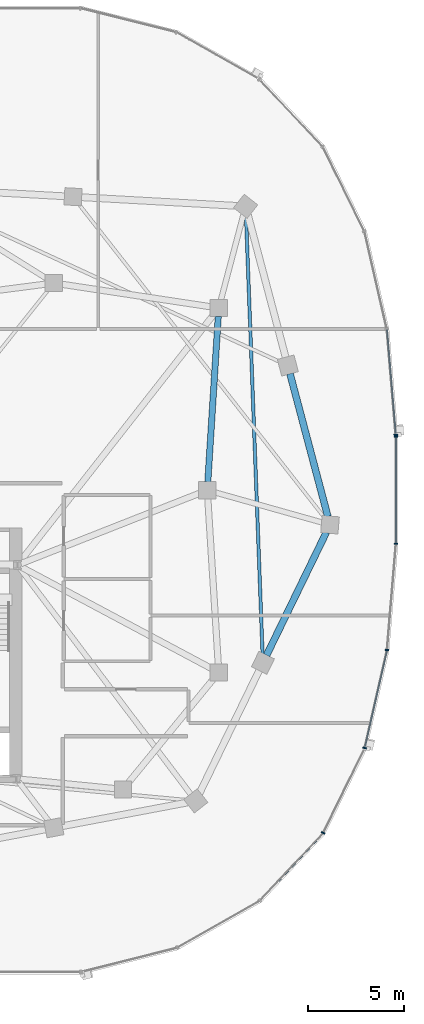
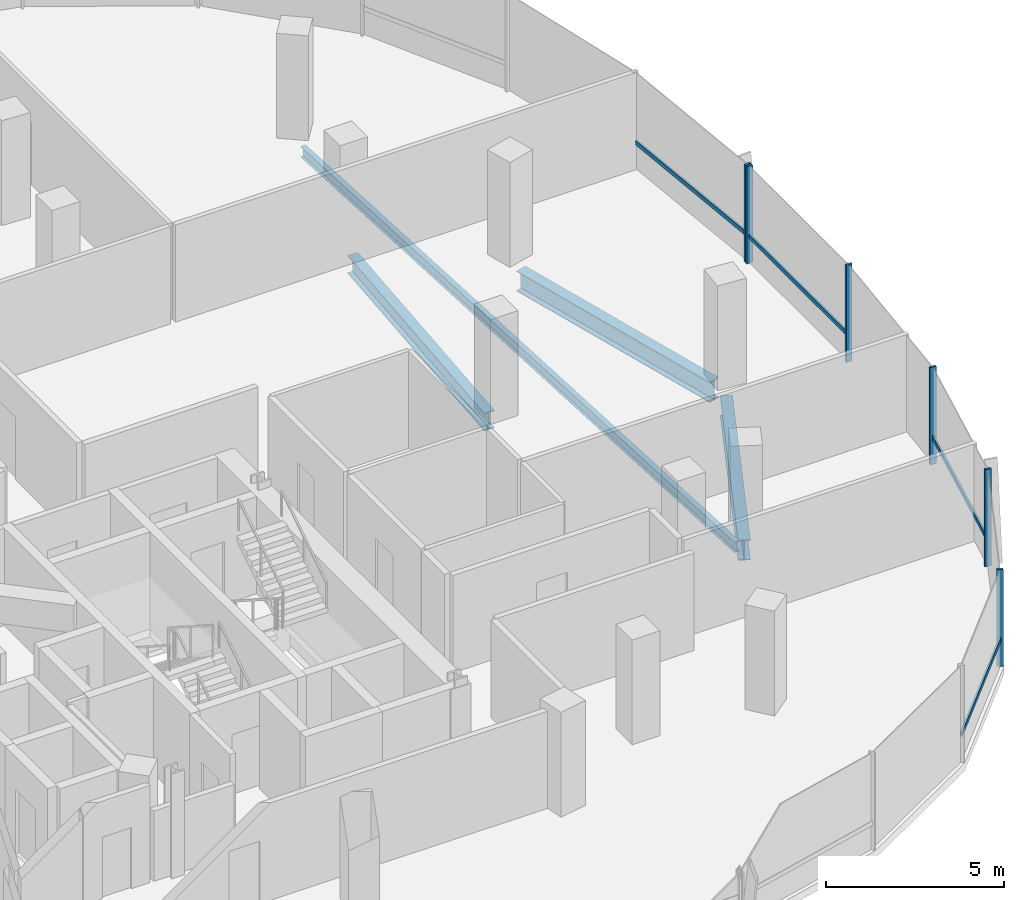
# One storey, part 10 of 25: 10 members, 4 beams, 2 elements without a shape of their own.
"""IFC4 building model written with IfcOpenShell, lengths in metres."""

from ifc_helpers import new_model, si_unit, direction, frame, origin, origin_2d, place, context, subcontext, project, spatial, rectangle, i_section, extrude, material, material_profile, profile_set, type_object, element, aggregate, save


model = new_model("IFC4")

# Units and contexts
model_context = context("Model", 3, precision=1e-05, world=origin(), true_north=direction((0.0, 1.0)))
body_context = subcontext(model_context, "Body", "Model", "MODEL_VIEW")
ifc_project = project(units=[si_unit("LENGTHUNIT", "METRE"), si_unit("AREAUNIT", "SQUARE_METRE"), si_unit("VOLUMEUNIT", "CUBIC_METRE"), si_unit("PLANEANGLEUNIT", "RADIAN"), si_unit("MASSUNIT", "GRAM", prefix="KILO"), si_unit("THERMODYNAMICTEMPERATUREUNIT", "KELVIN"), si_unit("POWERUNIT", "WATT")], contexts=[model_context])

# Site, building, storey
site_placement = place(None, origin())
site = spatial("IfcSite", under=ifc_project, at=site_placement, CompositionType="ELEMENT")
building_placement = place(site_placement, origin())
building = spatial("IfcBuilding", under=site, at=building_placement, Name="Cundina Bronze Exchange", CompositionType="ELEMENT")
storey_placement = place(building_placement, frame((0.0, 0.0, 206.199951171875)))
storey = spatial("IfcBuildingStorey", under=building, at=storey_placement, Name="L54", CompositionType="ELEMENT", Elevation=206.199951171875)

# Beams
ifc_material_1 = material(Name="Steel ASTM A992 Grade 50", Category="steel")
ifc_material_profile_1 = material_profile(ifc_material_1, i_section(OverallWidth=0.172119140625, OverallDepth=0.35791015625, WebThickness=0.0078125, FlangeThickness=0.01318359375, FilletRadius=0.010009765625, at=origin_2d()), Name="W14X38", Category="steel")
ifc_profile_set_1 = profile_set([ifc_material_profile_1], Name="Steel ASTM A992 Grade 50")
beam_type_1 = type_object("IfcBeamType", Name="BM-JST-W14", PredefinedType="JOIST", material=ifc_profile_set_1)
beam_1_placement = place(storey_placement, frame((44.08349609375, -8.562255859375, -0.43896484375), z_axis=(-0.037790216102, 0.999285694667, 0.0), x_axis=(-0.999285694667, -0.037790216102, 0.0)))
element("IfcBeam", 1, at=beam_1_placement, inside=storey, type_object=beam_type_1, Name="L54 Leg E Lobe Floor Joist 07-10", PredefinedType="JOIST", context=body_context, shape_type="SweptSolid", body=[
    extrude(i_section(OverallWidth=0.172119140625, OverallDepth=0.35791015625, WebThickness=0.0078125, FlangeThickness=0.01318359375, FilletRadius=0.010009765625, at=origin_2d()), origin(), (0.0, 0.0, 1.0), 22.94091796875),
])
ifc_material_profile_2 = material_profile(ifc_material_1, i_section(OverallWidth=0.324951171875, OverallDepth=0.615966796875, WebThickness=0.013916015625, FlangeThickness=0.021484375, FilletRadius=0.01611328125, at=origin_2d()), Name="W24X117", Category="steel")
ifc_profile_set_2 = profile_set([ifc_material_profile_2], Name="Steel ASTM A992 Grade 50")
beam_type_2 = type_object("IfcBeamType", Name="BM-RING-W24", PredefinedType="USERDEFINED", material=ifc_profile_set_2)
beam_2_placement = place(storey_placement, frame((41.2275390625, 0.43701171875, -0.56787109375), z_axis=(0.063046519736, 0.998010589297, 0.0), x_axis=(-0.998010589297, 0.063046519736, 0.0)))
element("IfcBeam", 2, at=beam_2_placement, inside=storey, type_object=beam_type_2, Name="L54 E Inner Structural Ring Girder 04", ObjectType="GIRDER", PredefinedType="USERDEFINED", context=body_context, shape_type="SweptSolid", body=[
    extrude(i_section(OverallWidth=0.324951171875, OverallDepth=0.615966796875, WebThickness=0.013916015625, FlangeThickness=0.021484375, FilletRadius=0.01611328125, at=origin_2d()), origin(), (0.0, 0.0, 1.0), 8.64306640625),
])
ifc_material_profile_3 = material_profile(ifc_material_1, i_section(OverallWidth=0.35498046875, OverallDepth=0.695068359375, WebThickness=0.015380859375, FlangeThickness=0.02490234375, FilletRadius=0.01806640625, at=origin_2d()), Name="W27X146", Category="steel")
ifc_profile_set_3 = profile_set([ifc_material_profile_3], Name="Steel ASTM A992 Grade 50")
beam_type_3 = type_object("IfcBeamType", Name="BM-RING-W27", PredefinedType="USERDEFINED", material=ifc_profile_set_3)
beam_3_placement = place(storey_placement, frame((44.29150390625, -8.606201171875, -0.607421875), z_axis=(0.437173087764, 0.89937739094, 0.0), x_axis=(-0.89937739094, 0.437173087764, 0.0)))
element("IfcBeam", 3, at=beam_3_placement, inside=storey, type_object=beam_type_3, Name="L54 E Perimeter Ring Girder 07", ObjectType="GIRDER", PredefinedType="USERDEFINED", context=body_context, shape_type="SweptSolid", body=[
    extrude(i_section(OverallWidth=0.35498046875, OverallDepth=0.695068359375, WebThickness=0.015380859375, FlangeThickness=0.02490234375, FilletRadius=0.01806640625, at=origin_2d()), origin(), (0.0, 0.0, 1.0), 7.1298828125),
])
beam_4_placement = place(storey_placement, frame((47.48779296875, -1.376708984375, -0.607421875), z_axis=(-0.256211934474, 0.966620631185, 0.0), x_axis=(-0.966620631185, -0.256211934474, 0.0)))
element("IfcBeam", 4, at=beam_4_placement, inside=storey, type_object=beam_type_3, Name="L54 E Perimeter Ring Girder 08", ObjectType="GIRDER", PredefinedType="USERDEFINED", context=body_context, shape_type="SweptSolid", body=[
    extrude(i_section(OverallWidth=0.35498046875, OverallDepth=0.695068359375, WebThickness=0.015380859375, FlangeThickness=0.02490234375, FilletRadius=0.01806640625, at=origin_2d()), origin(), (0.0, 0.0, 1.0), 7.710693359375),
])

# Curtain wall, member
ifc_material_2 = material(Name="Anodised Bronze Aluminium 6063-T6", Category="aluminium")
curtain_wall_type = type_object("IfcCurtainWallType", Name="CWS-UPP-OFF", PredefinedType="NOTDEFINED", material=ifc_material_2)
curtain_wall_1_placement = place(storey_placement, origin())
curtain_wall_1 = element("IfcCurtainWall", 5, at=curtain_wall_1_placement, inside=storey, type_object=curtain_wall_type, Name="L54 CW-05 Curtain Wall Run CWR-L54-E1", PredefinedType="NOTDEFINED")
ifc_material_profile_4 = material_profile(ifc_material_2, rectangle(XDim=0.070068359375, YDim=0.18994140625, at=origin_2d()), Name="AL70X190", Category="aluminium")
ifc_profile_set_4 = profile_set([ifc_material_profile_4], Name="Anodised Bronze Aluminium 6063-T6")
member_type_1 = type_object("IfcMemberType", Name="CWM-MUL-190", PredefinedType="MULLION", material=ifc_profile_set_4)
member_1_placement = place(storey_placement, frame((51.0302734375, 2.88330078125, 0.0), z_axis=(0.0, 0.0, 1.0), x_axis=(-0.083677843332, 0.99649285925, 0.0)))
member_1 = element("IfcMember", 6, at=member_1_placement, type_object=member_type_1, Name="CW-05 Mullion 1", PredefinedType="MULLION", context=body_context, shape_type="SweptSolid", body=[
    extrude(rectangle(XDim=0.070068359375, YDim=0.18994140625, at=origin_2d()), origin(), (0.0, 0.0, 1.0), 3.340087890625),
])

# Curtain wall, members
curtain_wall_2_placement = place(storey_placement, origin())
curtain_wall_2 = element("IfcCurtainWall", 7, at=curtain_wall_2_placement, inside=storey, type_object=curtain_wall_type, Name="L54 CW-05 Curtain Wall Run CWR-L54-E4", PredefinedType="NOTDEFINED")
member_2_placement = place(storey_placement, frame((47.245361328125, -17.866455078125, 0.0), z_axis=(0.0, 0.0, 1.0), x_axis=(0.440566004113, 0.897720221461, 0.0)))
member_2 = element("IfcMember", 8, at=member_2_placement, type_object=member_type_1, Name="CW-05 Mullion 4", PredefinedType="MULLION", context=body_context, shape_type="SweptSolid", body=[
    extrude(rectangle(XDim=0.070068359375, YDim=0.18994140625, at=origin_2d()), origin(), (0.0, 0.0, 1.0), 3.340087890625),
])
member_3_placement = place(storey_placement, frame((49.40771484375, -13.440673828125, 0.0), z_axis=(0.0, 0.0, 1.0), x_axis=(0.223250116011, 0.974761194191, 0.0)))
member_3 = element("IfcMember", 9, at=member_3_placement, type_object=member_type_1, Name="CW-05 Mullion 5", PredefinedType="MULLION", context=body_context, shape_type="SweptSolid", body=[
    extrude(rectangle(XDim=0.070068359375, YDim=0.18994140625, at=origin_2d()), origin(), (0.0, 0.0, 1.0), 3.340087890625),
])
member_4_placement = place(storey_placement, frame((50.572509765625, -8.33056640625, 0.0), z_axis=(0.0, 0.0, 1.0), x_axis=(0.083677843332, 0.99649285925, 0.0)))
member_4 = element("IfcMember", 10, at=member_4_placement, type_object=member_type_1, Name="CW-05 Mullion 6", PredefinedType="MULLION", context=body_context, shape_type="SweptSolid", body=[
    extrude(rectangle(XDim=0.070068359375, YDim=0.18994140625, at=origin_2d()), origin(), (0.0, 0.0, 1.0), 3.340087890625),
])
member_5_placement = place(storey_placement, frame((51.033935546875, -2.794921875, 0.0), z_axis=(0.0, 0.0, 1.0), x_axis=(0.0, 1.0, 0.0)))
member_5 = element("IfcMember", 11, at=member_5_placement, type_object=member_type_1, Name="CW-05 Mullion 7", PredefinedType="MULLION", context=body_context, shape_type="SweptSolid", body=[
    extrude(rectangle(XDim=0.070068359375, YDim=0.18994140625, at=origin_2d()), origin(), (0.0, 0.0, 1.0), 3.340087890625),
])
member_6_placement = place(storey_placement, frame((51.033935546875, 2.794921875, 0.0), z_axis=(0.0, 0.0, 1.0), x_axis=(0.0, 1.0, 0.0)))
member_6 = element("IfcMember", 12, at=member_6_placement, type_object=member_type_1, Name="CW-05 End Mullion", PredefinedType="MULLION", context=body_context, shape_type="SweptSolid", body=[
    extrude(rectangle(XDim=0.070068359375, YDim=0.18994140625, at=origin_2d()), origin(), (0.0, 0.0, 1.0), 3.340087890625),
])

# Member
ifc_material_profile_5 = material_profile(ifc_material_2, rectangle(XDim=0.06494140625, YDim=0.14990234375, at=origin_2d()), Name="AL65X150", Category="aluminium")
ifc_profile_set_5 = profile_set([ifc_material_profile_5], Name="Anodised Bronze Aluminium 6063-T6")
member_type_2 = type_object("IfcMemberType", Name="CWM-TRN-150", PredefinedType="USERDEFINED", material=ifc_profile_set_5)
member_7_placement = place(storey_placement, frame((51.027099609375, 2.921630859375, 0.920166015625), z_axis=(-0.083740331158, 0.996487610027, 0.0), x_axis=(-0.996487610027, -0.083740331158, 0.0)))
member_7 = element("IfcMember", 13, at=member_7_placement, type_object=member_type_2, Name="CW-05 Spandrel Transom 1", ObjectType="TRANSOM", PredefinedType="USERDEFINED", context=body_context, shape_type="SweptSolid", body=[
    extrude(rectangle(XDim=0.06494140625, YDim=0.14990234375, at=origin_2d()), origin(), (0.0, 0.0, 1.0), 5.466552734375),
])

aggregate(curtain_wall_1, [member_1, member_7])

member_8_placement = place(storey_placement, frame((43.97509765625, -21.364501953125, 0.920166015625), z_axis=(0.684336416554, 0.729166420633, 0.0), x_axis=(-0.729166420633, 0.684336416554, 0.0)))
member_8 = element("IfcMember", 14, at=member_8_placement, type_object=member_type_2, Name="CW-05 Spandrel Transom 3", ObjectType="TRANSOM", PredefinedType="USERDEFINED", context=body_context, shape_type="SweptSolid", body=[
    extrude(rectangle(XDim=0.06494140625, YDim=0.14990234375, at=origin_2d()), origin(), (0.0, 0.0, 1.0), 4.76513671875),
])

member_9_placement = place(storey_placement, frame((49.41650390625, -13.403076171875, 0.920166015625), z_axis=(0.22328343579, 0.974753562344, 0.0), x_axis=(-0.974753562344, 0.22328343579, 0.0)))
member_9 = element("IfcMember", 15, at=member_9_placement, type_object=member_type_2, Name="CW-05 Spandrel Transom 5", ObjectType="TRANSOM", PredefinedType="USERDEFINED", context=body_context, shape_type="SweptSolid", body=[
    extrude(rectangle(XDim=0.06494140625, YDim=0.14990234375, at=origin_2d()), origin(), (0.0, 0.0, 1.0), 5.159912109375),
])

member_10_placement = place(storey_placement, frame((51.033935546875, -2.756591796875, 0.920166015625), z_axis=(0.0, 1.0, 0.0), x_axis=(-1.0, 0.0, 0.0)))
member_10 = element("IfcMember", 16, at=member_10_placement, type_object=member_type_2, Name="CW-05 Spandrel Transom 7", ObjectType="TRANSOM", PredefinedType="USERDEFINED", context=body_context, shape_type="SweptSolid", body=[
    extrude(rectangle(XDim=0.06494140625, YDim=0.14990234375, at=origin_2d()), origin(), (0.0, 0.0, 1.0), 5.51318359375),
])

aggregate(curtain_wall_2, [member_8, member_2, member_3, member_9, member_4, member_5, member_6, member_10])

save(model, "model.ifc")
